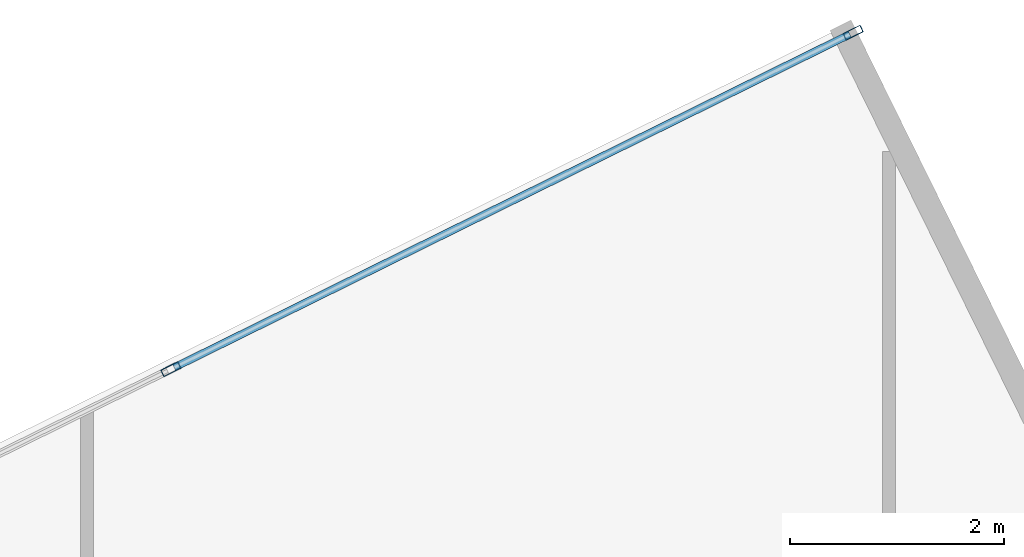
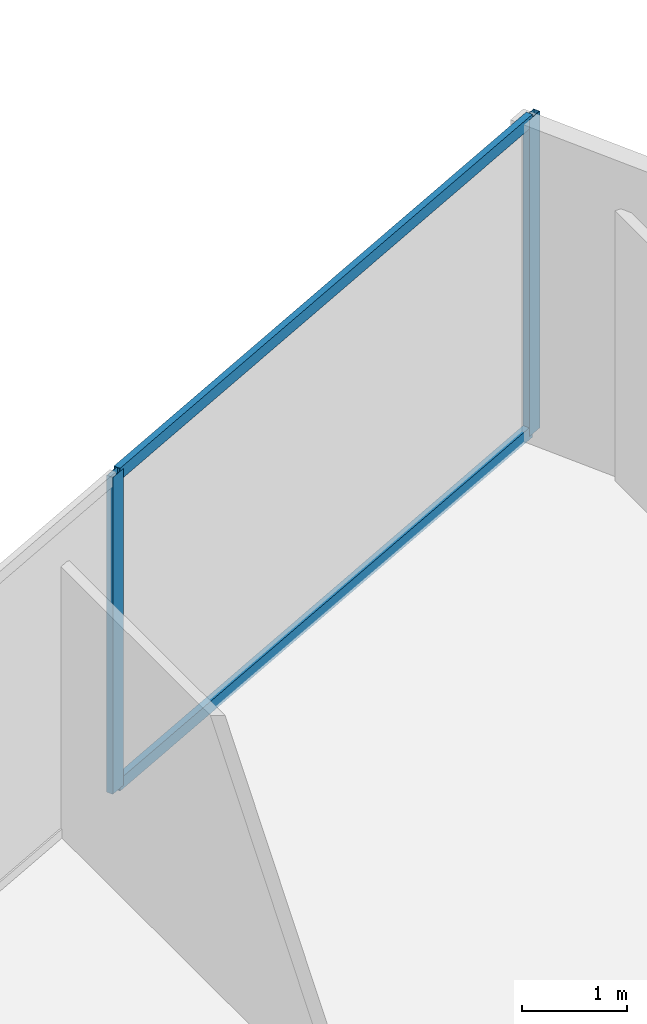
# One storey, part 15 of 22: 4 members, 1 element without a shape of its own.
"""IFC4 building model written with IfcOpenShell, lengths in metres."""

from ifc_helpers import new_model, si_unit, direction, frame, origin, origin_2d, place, context, subcontext, project, spatial, hollow_rectangle, extrude, source, transform, mapped, material, material_profile, profile_set, type_object, type_shapes, element, aggregate, save


model = new_model("IFC4")

# Units and contexts
model_context = context("Model", 3, precision=1e-05, world=origin(), true_north=direction((0.0, 1.0)))
body_context = subcontext(model_context, "Body", "Model", "MODEL_VIEW")
ifc_project = project(units=[si_unit("LENGTHUNIT", "METRE"), si_unit("AREAUNIT", "SQUARE_METRE"), si_unit("VOLUMEUNIT", "CUBIC_METRE"), si_unit("PLANEANGLEUNIT", "RADIAN"), si_unit("MASSUNIT", "GRAM", prefix="KILO")], contexts=[model_context])

# Site, building, storey
site_placement = place(None, origin())
site = spatial("IfcSite", under=ifc_project, at=site_placement, CompositionType="ELEMENT")
building_placement = place(site_placement, origin())
building = spatial("IfcBuilding", under=site, at=building_placement, Name="Krantzveldt Concourse Tower", CompositionType="ELEMENT")
storey_placement = place(building_placement, frame((0.0, 0.0, 310.85009765625)))
storey = spatial("IfcBuildingStorey", under=building, at=storey_placement, Name="L76", CompositionType="ELEMENT", Elevation=310.85009765625)

# Curtain wall, members
ifc_material = material(Name="Anodised aluminium 6063-T6", Category="aluminium")
curtain_wall_type = type_object("IfcCurtainWallType", Name="CW4", PredefinedType="USERDEFINED", material=ifc_material)
curtain_wall_placement = place(storey_placement, origin())
curtain_wall = element("IfcCurtainWall", 1, at=curtain_wall_placement, inside=storey, type_object=curtain_wall_type, Name="CW-L76-F01", ObjectType="UNITISED CURTAIN WALL", PredefinedType="USERDEFINED")
ifc_material_profile_1 = material_profile(ifc_material, hollow_rectangle(XDim=0.070068359375, YDim=0.179931640625, WallThickness=0.0048828125, at=origin_2d()), Name="Anodised aluminium 6063-T6", Category="aluminium")
ifc_profile_set_1 = profile_set([ifc_material_profile_1], Name="Anodised aluminium 6063-T6 - ALU-MULL 180x70x5")
member_type_1 = type_object("IfcMemberType", Name="CW-MUL-180", PredefinedType="MULLION", material=ifc_profile_set_1)
shared_shape_1 = source(origin(), body_context, "Body", "SweptSolid", [
    extrude(hollow_rectangle(XDim=0.070068359375, YDim=0.179931640625, WallThickness=0.0048828125, at=origin_2d()), origin(), (0.0, 0.0, 1.0), 3.669921875),
])
type_shapes(member_type_1, [shared_shape_1])
member_1_placement = place(storey_placement, frame((40.164794921875, 50.50732421875, 0.0), z_axis=(0.0, 0.0, 1.0), x_axis=(0.442288511927, -0.896872829457, 0.0)))
member_1 = element("IfcMember", 2, at=member_1_placement, type_object=member_type_1, Name="CW-Z56 mullion 1", PredefinedType="MULLION", context=body_context, shape_type="MappedRepresentation", body=[
    mapped(shared_shape_1, transform((0.0, 0.0, 0.0), x_axis=(1.0, 0.0, 0.0), y_axis=(0.0, 1.0, 0.0), z_axis=(0.0, 0.0, 1.0), scale=1.0)),
])
member_2_placement = place(storey_placement, frame((33.78369140625, 47.3603515625, 0.0), z_axis=(0.0, 0.0, 1.0), x_axis=(0.442288511927, -0.896872829457, 0.0)))
member_2 = element("IfcMember", 3, at=member_2_placement, type_object=member_type_1, Name="CW-Z56 mullion 2", PredefinedType="MULLION", context=body_context, shape_type="MappedRepresentation", body=[
    mapped(shared_shape_1, transform((0.0, 0.0, 0.0), x_axis=(1.0, 0.0, 0.0), y_axis=(0.0, 1.0, 0.0), z_axis=(0.0, 0.0, 1.0), scale=1.0)),
])
ifc_material_profile_2 = material_profile(ifc_material, hollow_rectangle(XDim=0.070068359375, YDim=0.139892578125, WallThickness=0.0048828125, at=origin_2d()), Name="Anodised aluminium 6063-T6", Category="aluminium")
ifc_profile_set_2 = profile_set([ifc_material_profile_2], Name="Anodised aluminium 6063-T6 - ALU-TRAN 140x70x5")
member_type_2 = type_object("IfcMemberType", Name="CW-TRN-150", PredefinedType="USERDEFINED", material=ifc_profile_set_2)
shared_shape_2 = source(origin(), body_context, "Body", "SweptSolid", [
    extrude(hollow_rectangle(XDim=0.070068359375, YDim=0.139892578125, WallThickness=0.0048828125, at=origin_2d()), origin(), (0.0, 0.0, 1.0), 7.045166015625),
])
type_shapes(member_type_2, [shared_shape_2])
member_3_placement = place(storey_placement, frame((40.133544921875, 50.49169921875, 0.034912109375), z_axis=(-0.896874071777, -0.44228599274, 0.0), x_axis=(0.44228599274, -0.896874071777, 0.0)))
member_3 = element("IfcMember", 4, at=member_3_placement, type_object=member_type_2, Name="CW-Z56 transom 1.1", ObjectType="TRANSOM", PredefinedType="USERDEFINED", context=body_context, shape_type="MappedRepresentation", body=[
    mapped(shared_shape_2, transform((0.0, 0.0, 0.0), x_axis=(1.0, 0.0, 0.0), y_axis=(0.0, 1.0, 0.0), z_axis=(0.0, 0.0, 1.0), scale=1.0)),
])
member_4_placement = place(storey_placement, frame((40.133544921875, 50.49169921875, 3.635009765625), z_axis=(-0.896874071777, -0.44228599274, 0.0), x_axis=(0.44228599274, -0.896874071777, 0.0)))
member_4 = element("IfcMember", 5, at=member_4_placement, type_object=member_type_2, Name="CW-Z56 transom 1.2", ObjectType="TRANSOM", PredefinedType="USERDEFINED", context=body_context, shape_type="MappedRepresentation", body=[
    mapped(shared_shape_2, transform((0.0, 0.0, 0.0), x_axis=(1.0, 0.0, 0.0), y_axis=(0.0, 1.0, 0.0), z_axis=(0.0, 0.0, 1.0), scale=1.0)),
])
aggregate(curtain_wall, [member_1, member_2, member_3, member_4])

save(model, "model.ifc")
